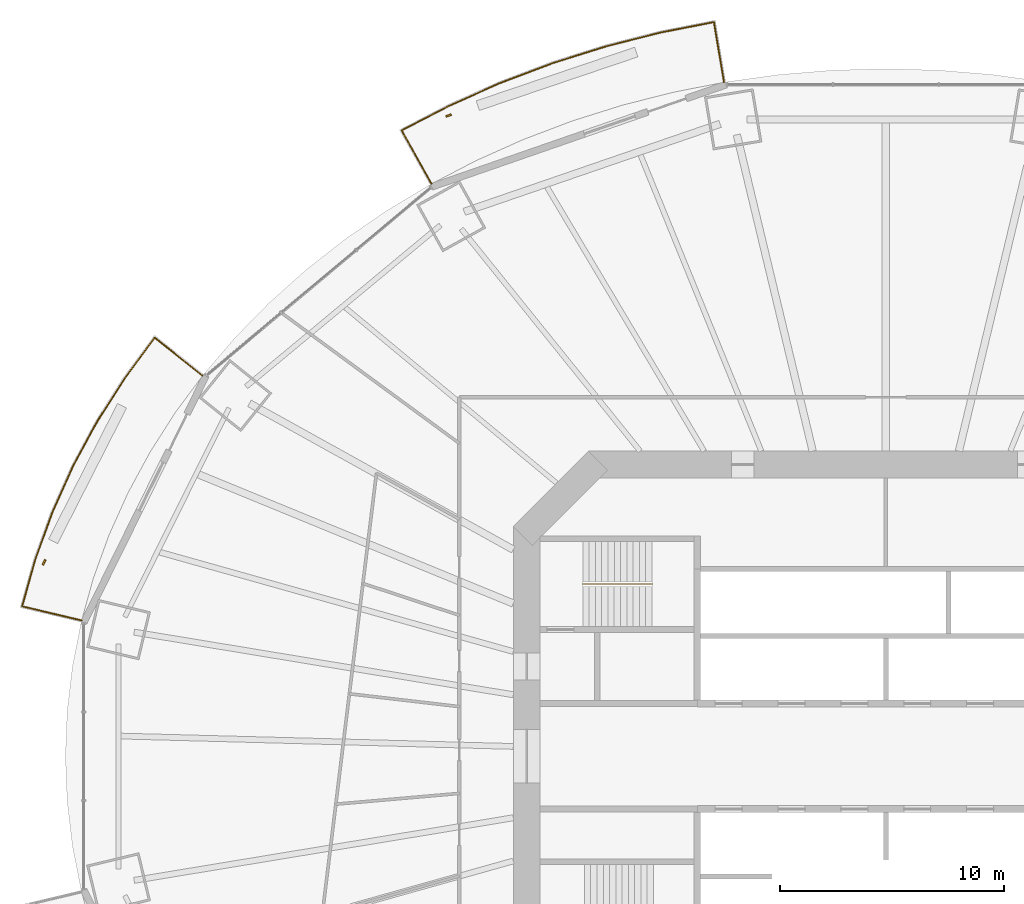
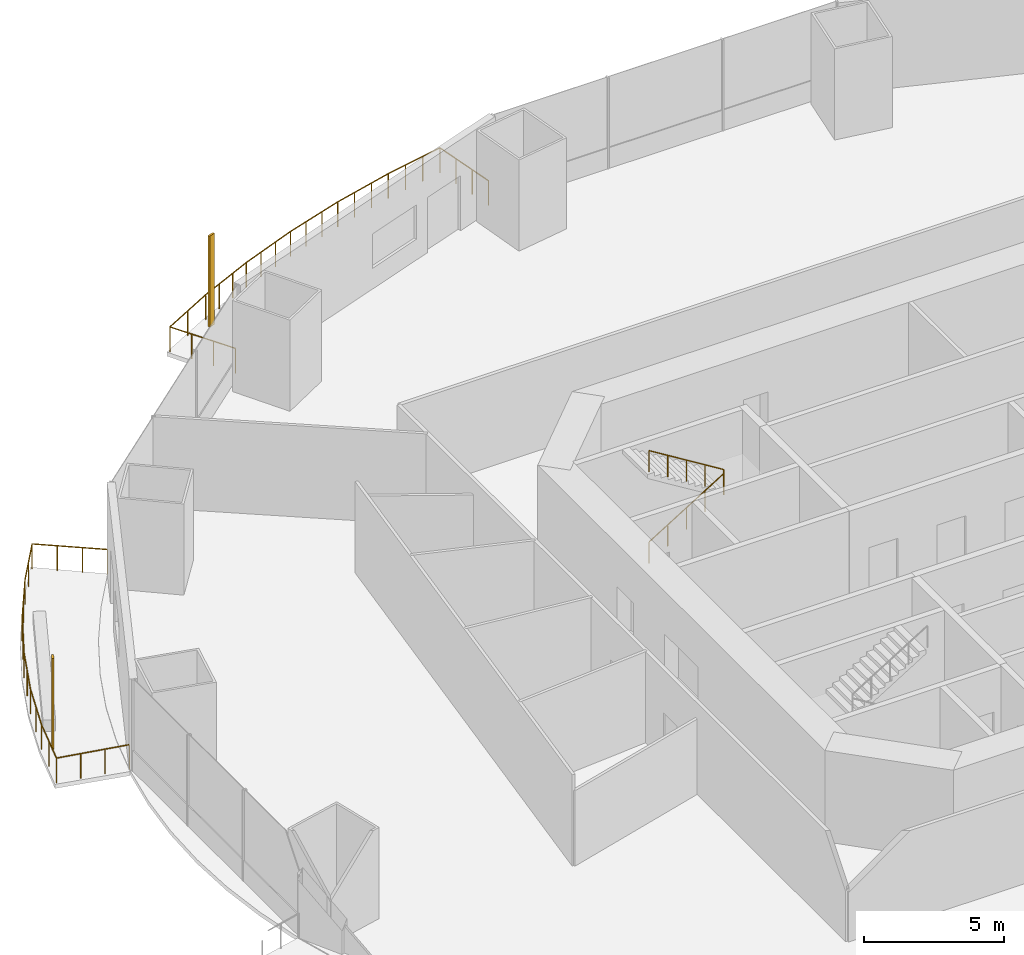
# One storey, part 20 of 23: 3 railings, 2 shading devices.
"""IFC4 building model written with IfcOpenShell, lengths in metres."""

from ifc_helpers import new_model, si_unit, direction, frame, origin, origin_2d, place, context, subcontext, project, spatial, rectangle, circle, extrude, material, material_profile, profile_set, type_object, element, save


model = new_model("IFC4")

# Units and contexts
model_context = context("Model", 3, precision=1e-05, world=origin(), true_north=direction((0.0, 1.0)))
body_context = subcontext(model_context, "Body", "Model", "MODEL_VIEW")
ifc_project = project(units=[si_unit("LENGTHUNIT", "METRE"), si_unit("AREAUNIT", "SQUARE_METRE"), si_unit("VOLUMEUNIT", "CUBIC_METRE"), si_unit("PLANEANGLEUNIT", "RADIAN"), si_unit("MASSUNIT", "GRAM", prefix="KILO")], contexts=[model_context])

# Site, building, storey
site_placement = place(None, origin())
site = spatial("IfcSite", under=ifc_project, at=site_placement, CompositionType="ELEMENT")
building_placement = place(site_placement, origin())
building = spatial("IfcBuilding", under=site, at=building_placement, Name="Marenthal Gate Tower", CompositionType="ELEMENT")
storey_placement = place(building_placement, frame((0.0, 0.0, 45.449951171875)))
storey = spatial("IfcBuildingStorey", under=building, at=storey_placement, Name="L07", CompositionType="ELEMENT", Elevation=45.449951171875)

# Railings
ifc_material_1 = material(Name="Stainless steel", Category="steel")
railing_type_1 = type_object("IfcRailingType", Name="Balcony guard 1100", PredefinedType="GUARDRAIL", material=ifc_material_1)
railing_1_placement = place(storey_placement, frame((-20.24072265625, 25.51123046875, 0.0)))
element("IfcRailing", 1, at=railing_1_placement, inside=storey, type_object=railing_type_1, Name="Balcony guard L07 bay 5", PredefinedType="GUARDRAIL", context=body_context, shape_type="SweptSolid", body=[
    extrude(circle(Radius=0.02392578125, at=origin_2d()), frame((0.0, 0.0, 1.076171875), z_axis=(-0.488779989422, 0.872282908041, -0.014719044852), x_axis=(-0.872377413566, -0.488832945188, 0.0)), (0.0, 0.0, 1.0), 2.72021484375),
    extrude(circle(Radius=0.02392578125, at=origin_2d()), frame((-1.32958984375, 2.372802734375, 1.0361328125), z_axis=(0.887280789471, 0.461229661487, 0.0), x_axis=(-0.461229661487, 0.887280789471, 0.0)), (0.0, 0.0, 1.0), 2.37353515625),
    extrude(circle(Radius=0.02392578125, at=origin_2d()), frame((0.7763671875, 3.467529296875, 1.0361328125), z_axis=(0.912605925031, 0.408840342429, 0.0), x_axis=(-0.408840342429, 0.912605925031, 0.0)), (0.0, 0.0, 1.0), 2.4716796875),
    extrude(circle(Radius=0.02392578125, at=origin_2d()), frame((3.031982421875, 4.47802734375, 1.0361328125), z_axis=(0.934902124895, 0.354905645019, 0.0), x_axis=(-0.354905645019, 0.934902124895, 0.0)), (0.0, 0.0, 1.0), 2.488037109375),
    extrude(circle(Radius=0.02392578125, at=origin_2d()), frame((5.358154296875, 5.361083984375, 1.0361328125), z_axis=(0.953671084495, 0.30085123001, 0.0), x_axis=(-0.30085123001, 0.953671084495, 0.0)), (0.0, 0.0, 1.0), 2.502685546875),
    extrude(circle(Radius=0.02392578125, at=origin_2d()), frame((7.744873046875, 6.114013671875, 1.0361328125), z_axis=(0.969181494284, 0.246347784927, 0.0), x_axis=(-0.246347784927, 0.969181494284, 0.0)), (0.0, 0.0, 1.0), 2.515380859375),
    extrude(circle(Radius=0.02392578125, at=origin_2d()), frame((10.1826171875, 6.733642578125, 1.0361328125), z_axis=(0.981261967917, 0.19267835976, 0.0), x_axis=(-0.19267835976, 0.981261967917, 0.0)), (0.0, 0.0, 1.0), 2.445556640625),
    extrude(circle(Radius=0.02392578125, at=origin_2d()), frame((12.582275390625, 7.204833984375, 1.0361328125), z_axis=(0.164512163182, -0.986265227064, 0.014719036968), x_axis=(0.986372081632, 0.164529986862, 0.0)), (0.0, 0.0, 1.0), 2.72021484375),
    extrude(circle(Radius=0.02099609375, at=origin_2d()), origin(), (0.0, 0.0, 1.0), 1.052001953125),
    extrude(circle(Radius=0.02099609375, at=origin_2d()), frame((-0.443115234375, 0.791015625, -0.013427734375)), (0.0, 0.0, 1.0), 1.052001953125),
    extrude(circle(Radius=0.02099609375, at=origin_2d()), frame((-0.886474609375, 1.581787109375, -0.026611328125)), (0.0, 0.0, 1.0), 1.052001953125),
    extrude(circle(Radius=0.02099609375, at=origin_2d()), frame((-1.32958984375, 2.372802734375, -0.0400390625)), (0.0, 0.0, 1.0), 1.052001953125),
    extrude(circle(Radius=0.02099609375, at=origin_2d()), frame((-0.276611328125, 2.920166015625, -0.0400390625)), (0.0, 0.0, 1.0), 1.052001953125),
    extrude(circle(Radius=0.02099609375, at=origin_2d()), frame((0.7763671875, 3.467529296875, -0.0400390625)), (0.0, 0.0, 1.0), 1.052001953125),
    extrude(circle(Radius=0.02099609375, at=origin_2d()), frame((1.5283203125, 3.804443359375, -0.0400390625)), (0.0, 0.0, 1.0), 1.052001953125),
    extrude(circle(Radius=0.02099609375, at=origin_2d()), frame((2.280029296875, 4.14111328125, -0.0400390625)), (0.0, 0.0, 1.0), 1.052001953125),
    extrude(circle(Radius=0.02099609375, at=origin_2d()), frame((3.031982421875, 4.47802734375, -0.0400390625)), (0.0, 0.0, 1.0), 1.052001953125),
    extrude(circle(Radius=0.02099609375, at=origin_2d()), frame((3.807373046875, 4.7724609375, -0.0400390625)), (0.0, 0.0, 1.0), 1.052001953125),
    extrude(circle(Radius=0.02099609375, at=origin_2d()), frame((4.582763671875, 5.066650390625, -0.0400390625)), (0.0, 0.0, 1.0), 1.052001953125),
    extrude(circle(Radius=0.02099609375, at=origin_2d()), frame((5.358154296875, 5.361083984375, -0.0400390625)), (0.0, 0.0, 1.0), 1.052001953125),
    extrude(circle(Radius=0.02099609375, at=origin_2d()), frame((6.15380859375, 5.612060546875, -0.0400390625)), (0.0, 0.0, 1.0), 1.052001953125),
    extrude(circle(Radius=0.02099609375, at=origin_2d()), frame((6.94921875, 5.863037109375, -0.0400390625)), (0.0, 0.0, 1.0), 1.052001953125),
    extrude(circle(Radius=0.02099609375, at=origin_2d()), frame((7.744873046875, 6.114013671875, -0.0400390625)), (0.0, 0.0, 1.0), 1.052001953125),
    extrude(circle(Radius=0.02099609375, at=origin_2d()), frame((8.557373046875, 6.320556640625, -0.0400390625)), (0.0, 0.0, 1.0), 1.052001953125),
    extrude(circle(Radius=0.02099609375, at=origin_2d()), frame((9.3701171875, 6.527099609375, -0.0400390625)), (0.0, 0.0, 1.0), 1.052001953125),
    extrude(circle(Radius=0.02099609375, at=origin_2d()), frame((10.1826171875, 6.733642578125, -0.0400390625)), (0.0, 0.0, 1.0), 1.052001953125),
    extrude(circle(Radius=0.02099609375, at=origin_2d()), frame((10.982421875, 6.890625, -0.0400390625)), (0.0, 0.0, 1.0), 1.052001953125),
    extrude(circle(Radius=0.02099609375, at=origin_2d()), frame((11.782470703125, 7.0478515625, -0.0400390625)), (0.0, 0.0, 1.0), 1.052001953125),
    extrude(circle(Radius=0.02099609375, at=origin_2d()), frame((12.582275390625, 7.204833984375, -0.0400390625)), (0.0, 0.0, 1.0), 1.052001953125),
    extrude(circle(Radius=0.02099609375, at=origin_2d()), frame((12.7314453125, 6.310546875, -0.026611328125)), (0.0, 0.0, 1.0), 1.052001953125),
    extrude(circle(Radius=0.02099609375, at=origin_2d()), frame((12.880615234375, 5.416259765625, -0.013427734375)), (0.0, 0.0, 1.0), 1.052001953125),
    extrude(circle(Radius=0.02099609375, at=origin_2d()), frame((13.02978515625, 4.52197265625, 0.0)), (0.0, 0.0, 1.0), 1.052001953125),
])
railing_2_placement = place(storey_placement, frame((-35.8369140625, 6.054443359375, 0.0)))
element("IfcRailing", 2, at=railing_2_placement, inside=storey, type_object=railing_type_1, Name="Balcony guard L07 bay 7", PredefinedType="GUARDRAIL", context=body_context, shape_type="SweptSolid", body=[
    extrude(circle(Radius=0.02392578125, at=origin_2d()), frame((0.0, 0.0, 1.076171875), z_axis=(-0.972906523904, 0.230729884047, -0.014717892254), x_axis=(-0.230754878041, -0.973011914758, 0.0)), (0.0, 0.0, 1.0), 2.720458984375),
    extrude(circle(Radius=0.02392578125, at=origin_2d()), frame((-2.646728515625, 0.627685546875, 1.0361328125), z_axis=(0.269402906993, 0.963027556046, 0.0), x_axis=(-0.963027556046, 0.269402906993, 0.0)), (0.0, 0.0, 1.0), 2.154052734375),
    extrude(circle(Radius=0.02392578125, at=origin_2d()), frame((-2.06640625, 2.7021484375, 1.0361328125), z_axis=(0.340363176703, 0.940294053977, 0.0), x_axis=(-0.940294053977, 0.340363176703, 0.0)), (0.0, 0.0, 1.0), 2.2451171875),
    extrude(circle(Radius=0.02392578125, at=origin_2d()), frame((-1.30224609375, 4.813232421875, 1.0361328125), z_axis=(0.409595910935, 0.912267060539, 0.0), x_axis=(-0.912267060539, 0.409595910935, 0.0)), (0.0, 0.0, 1.0), 2.258544921875),
    extrude(circle(Radius=0.02392578125, at=origin_2d()), frame((-0.377197265625, 6.87353515625, 1.0361328125), z_axis=(0.475629312141, 0.879645813628, 0.0), x_axis=(-0.879645813628, 0.475629312141, 0.0)), (0.0, 0.0, 1.0), 2.27392578125),
    extrude(circle(Radius=0.02392578125, at=origin_2d()), frame((0.704345703125, 8.873779296875, 1.0361328125), z_axis=(0.537716445458, 0.843125746425, 0.0), x_axis=(-0.843125746425, 0.537716445458, 0.0)), (0.0, 0.0, 1.0), 2.291015625),
    extrude(circle(Radius=0.02392578125, at=origin_2d()), frame((1.936279296875, 10.805419921875, 1.0361328125), z_axis=(0.594837345743, 0.803846087326, 0.0), x_axis=(-0.803846087326, 0.594837345743, 0.0)), (0.0, 0.0, 1.0), 2.22998046875),
    extrude(circle(Radius=0.02392578125, at=origin_2d()), frame((3.2626953125, 12.597900390625, 1.0361328125), z_axis=(0.782017214913, -0.623083029968, 0.014717790136), x_axis=(0.623150524983, 0.782101926358, 0.0)), (0.0, 0.0, 1.0), 2.720458984375),
    extrude(circle(Radius=0.02099609375, at=origin_2d()), origin(), (0.0, 0.0, 1.0), 1.052001953125),
    extrude(circle(Radius=0.02099609375, at=origin_2d()), frame((-0.88232421875, 0.209228515625, -0.013427734375)), (0.0, 0.0, 1.0), 1.052001953125),
    extrude(circle(Radius=0.02099609375, at=origin_2d()), frame((-1.764404296875, 0.41845703125, -0.026611328125)), (0.0, 0.0, 1.0), 1.052001953125),
    extrude(circle(Radius=0.02099609375, at=origin_2d()), frame((-2.646728515625, 0.627685546875, -0.0400390625)), (0.0, 0.0, 1.0), 1.052001953125),
    extrude(circle(Radius=0.02099609375, at=origin_2d()), frame((-2.3564453125, 1.6650390625, -0.0400390625)), (0.0, 0.0, 1.0), 1.052001953125),
    extrude(circle(Radius=0.02099609375, at=origin_2d()), frame((-2.06640625, 2.7021484375, -0.0400390625)), (0.0, 0.0, 1.0), 1.052001953125),
    extrude(circle(Radius=0.02099609375, at=origin_2d()), frame((-1.684326171875, 3.7578125, -0.0400390625)), (0.0, 0.0, 1.0), 1.052001953125),
    extrude(circle(Radius=0.02099609375, at=origin_2d()), frame((-1.30224609375, 4.813232421875, -0.0400390625)), (0.0, 0.0, 1.0), 1.052001953125),
    extrude(circle(Radius=0.02099609375, at=origin_2d()), frame((-0.83984375, 5.84326171875, -0.0400390625)), (0.0, 0.0, 1.0), 1.052001953125),
    extrude(circle(Radius=0.02099609375, at=origin_2d()), frame((-0.377197265625, 6.87353515625, -0.0400390625)), (0.0, 0.0, 1.0), 1.052001953125),
    extrude(circle(Radius=0.02099609375, at=origin_2d()), frame((0.16357421875, 7.87353515625, -0.0400390625)), (0.0, 0.0, 1.0), 1.052001953125),
    extrude(circle(Radius=0.02099609375, at=origin_2d()), frame((0.704345703125, 8.873779296875, -0.0400390625)), (0.0, 0.0, 1.0), 1.052001953125),
    extrude(circle(Radius=0.02099609375, at=origin_2d()), frame((1.3203125, 9.839599609375, -0.0400390625)), (0.0, 0.0, 1.0), 1.052001953125),
    extrude(circle(Radius=0.02099609375, at=origin_2d()), frame((1.936279296875, 10.805419921875, -0.0400390625)), (0.0, 0.0, 1.0), 1.052001953125),
    extrude(circle(Radius=0.02099609375, at=origin_2d()), frame((2.599609375, 11.70166015625, -0.0400390625)), (0.0, 0.0, 1.0), 1.052001953125),
    extrude(circle(Radius=0.02099609375, at=origin_2d()), frame((3.2626953125, 12.597900390625, -0.0400390625)), (0.0, 0.0, 1.0), 1.052001953125),
    extrude(circle(Radius=0.02099609375, at=origin_2d()), frame((3.971923828125, 12.032958984375, -0.026611328125)), (0.0, 0.0, 1.0), 1.052001953125),
    extrude(circle(Radius=0.02099609375, at=origin_2d()), frame((4.680908203125, 11.4677734375, -0.013427734375)), (0.0, 0.0, 1.0), 1.052001953125),
    extrude(circle(Radius=0.02099609375, at=origin_2d()), frame((5.39013671875, 10.90283203125, 0.0)), (0.0, 0.0, 1.0), 1.052001953125),
])
ifc_material_2 = material(Name="Stainless steel", Category="steel")
railing_type_2 = type_object("IfcRailingType", Name="Stair handrail", PredefinedType="HANDRAIL", material=ifc_material_2)
railing_3_placement = place(storey_placement, frame((-13.5, 7.675048828125, 0.1728515625)))
element("IfcRailing", 3, at=railing_3_placement, inside=storey, type_object=railing_type_2, Name="Handrail ST1", PredefinedType="HANDRAIL", context=body_context, shape_type="SweptSolid", body=[
    extrude(circle(Radius=0.0224609375, at=origin_2d()), frame((0.0, 0.0, 0.927490234375), z_axis=(0.850835241893, 0.0, 0.525432575268), x_axis=(0.0, 1.0, 0.0)), (0.0, 0.0, 1.0), 3.6201171875),
    extrude(circle(Radius=0.0224609375, at=origin_2d()), frame((3.080078125, 0.0, 2.82958984375), z_axis=(0.0, 0.0, 1.0), x_axis=(1.0, 0.0, 0.0)), (0.0, 0.0, 1.0), 0.173095703125),
    extrude(circle(Radius=0.0224609375, at=origin_2d()), frame((3.080078125, 0.0, 3.002685546875), z_axis=(-0.850835241893, 0.0, 0.525432575268), x_axis=(0.0, -1.0, 0.0)), (0.0, 0.0, 1.0), 3.6201171875),
    extrude(circle(Radius=0.02001953125, at=origin_2d()), origin(), (0.0, 0.0, 1.0), 0.905029296875),
    extrude(circle(Radius=0.02001953125, at=origin_2d()), frame((0.77001953125, 0.0, 0.4755859375)), (0.0, 0.0, 1.0), 0.905029296875),
    extrude(circle(Radius=0.02001953125, at=origin_2d()), frame((1.5400390625, 0.0, 0.951171875)), (0.0, 0.0, 1.0), 0.905029296875),
    extrude(circle(Radius=0.02001953125, at=origin_2d()), frame((2.31005859375, 0.0, 1.426513671875)), (0.0, 0.0, 1.0), 0.905029296875),
    extrude(circle(Radius=0.02001953125, at=origin_2d()), frame((3.080078125, 0.0, 1.902099609375)), (0.0, 0.0, 1.0), 0.905029296875),
    extrude(circle(Radius=0.02001953125, at=origin_2d()), frame((3.080078125, 0.0, 2.0751953125)), (0.0, 0.0, 1.0), 0.905029296875),
    extrude(circle(Radius=0.02001953125, at=origin_2d()), frame((2.31005859375, 0.0, 2.55078125)), (0.0, 0.0, 1.0), 0.905029296875),
    extrude(circle(Radius=0.02001953125, at=origin_2d()), frame((1.5400390625, 0.0, 3.0263671875)), (0.0, 0.0, 1.0), 0.905029296875),
    extrude(circle(Radius=0.02001953125, at=origin_2d()), frame((0.77001953125, 0.0, 3.501708984375)), (0.0, 0.0, 1.0), 0.905029296875),
    extrude(circle(Radius=0.02001953125, at=origin_2d()), frame((0.0, 0.0, 3.977294921875)), (0.0, 0.0, 1.0), 0.905029296875),
])

# Shading devices
ifc_material_3 = material(Name="Terracotta", Category="masonry")
ifc_material_profile = material_profile(ifc_material_3, rectangle(XDim=0.25, YDim=0.080078125, at=origin_2d()), Name="Terracotta baguette 250x80")
ifc_profile_set = profile_set([ifc_material_profile], Name="Terracotta")
shading_device_type = type_object("IfcShadingDeviceType", Name="Terracotta BAGUETTE SCREEN 250x80", PredefinedType="USERDEFINED", material=ifc_profile_set)
for number, where, z_axis, x_axis, name in (
    (4, (-19.481689453125, 28.55078125, -0.0400390625), (0.0, 0.0, 1.0), (-0.944690686162, -0.327962661713, 0.0), "Terracotta BAGUETTE L07 bay 5R"),
    (5, (-37.507080078125, 8.643310546875, -0.0400390625), (0.0, 0.0, 1.0), (-0.44305812807, -0.89649288628, 0.0), "Terracotta BAGUETTE L07 bay 7R"),
):
    element("IfcShadingDevice", number, at=place(storey_placement, frame(where, z_axis=z_axis, x_axis=x_axis)), inside=storey, type_object=shading_device_type, Name=name, ObjectType="BAGUETTE SCREEN", PredefinedType="USERDEFINED", context=body_context, shape_type="SweptSolid", body=[
        extrude(rectangle(XDim=0.25, YDim=0.080078125, at=origin_2d()), origin(), (0.0, 0.0, 1.0), 3.969970703125),
    ])

save(model, "model.ifc")
